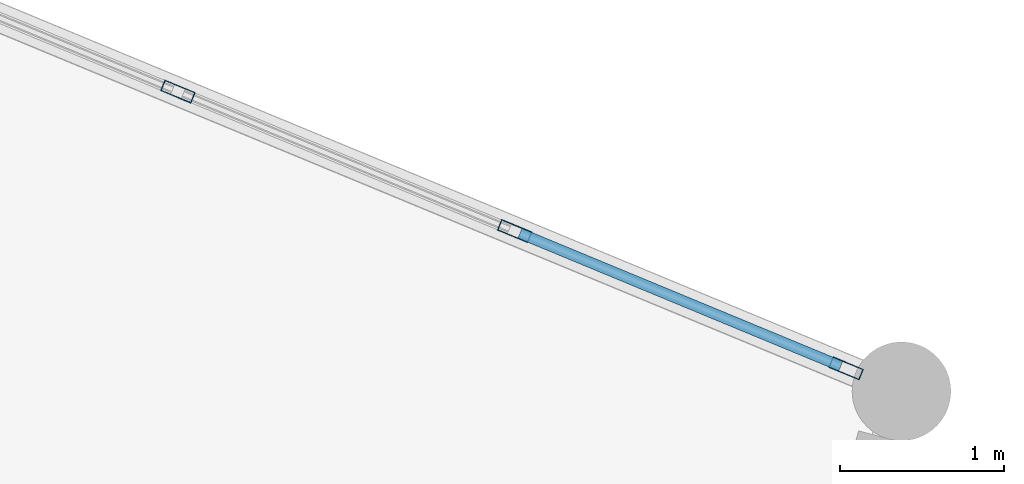
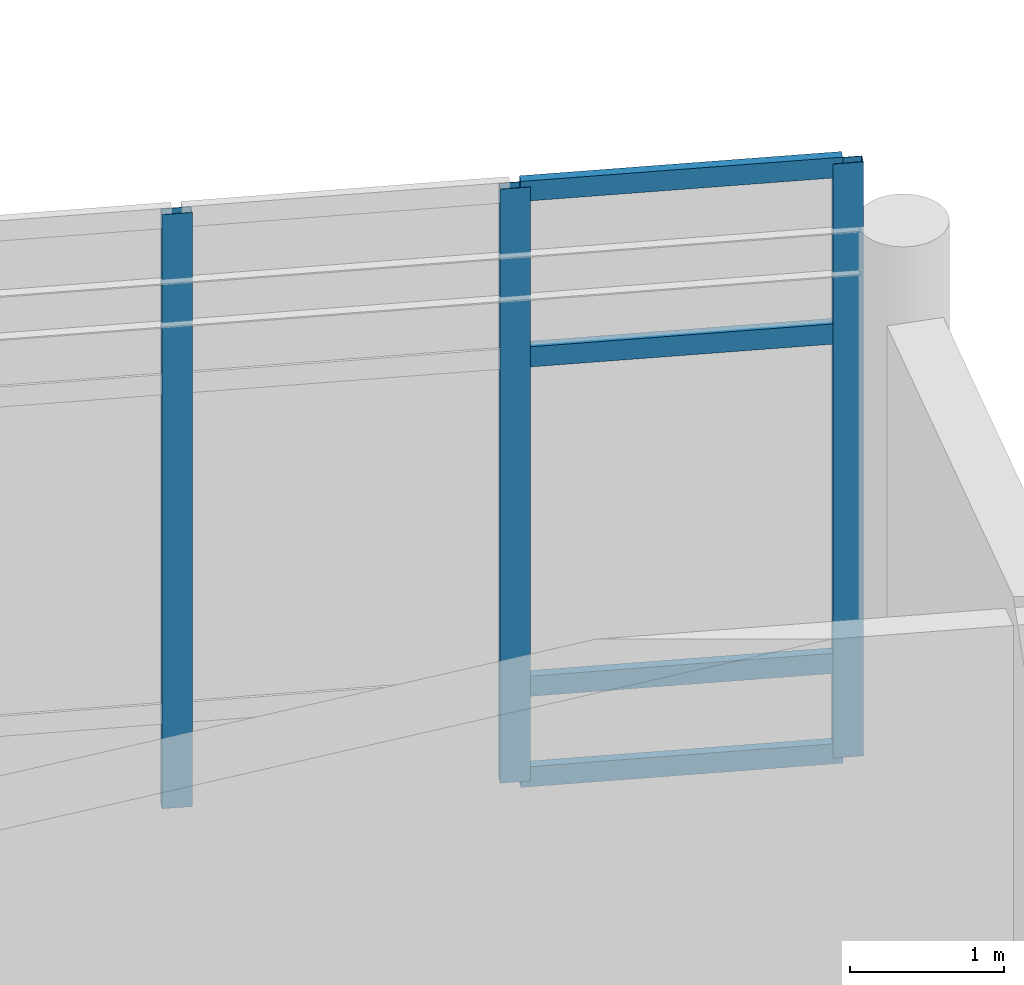
# One storey, part 37 of 170: 7 members, 1 element without a shape of its own.
"""IFC4 building model written with IfcOpenShell, lengths in metres."""

from ifc_helpers import new_model, si_unit, direction, frame, origin, origin_2d, place, context, subcontext, project, spatial, hollow_rectangle, extrude, material, material_profile, profile_set, type_object, element, aggregate, save


model = new_model("IFC4")

# Units and contexts
model_context = context("Model", 3, precision=1e-05, world=origin(), true_north=direction((0.0, 1.0)))
body_context = subcontext(model_context, "Body", "Model", "MODEL_VIEW")
ifc_project = project(units=[si_unit("LENGTHUNIT", "METRE"), si_unit("AREAUNIT", "SQUARE_METRE"), si_unit("VOLUMEUNIT", "CUBIC_METRE"), si_unit("PLANEANGLEUNIT", "RADIAN"), si_unit("MASSUNIT", "GRAM", prefix="KILO")], contexts=[model_context])

# Site, building, storey
site_placement = place(None, origin())
site = spatial("IfcSite", under=ifc_project, at=site_placement, CompositionType="ELEMENT")
building_placement = place(site_placement, origin())
building = spatial("IfcBuilding", under=site, at=building_placement, Name="Vondelvale Polytechnic", CompositionType="ELEMENT")
storey_placement = place(building_placement, frame((0.0, 0.0, 5.39990234375)))
storey = spatial("IfcBuildingStorey", under=building, at=storey_placement, Name="L01", CompositionType="ELEMENT", Elevation=5.39990234375)

# Curtain wall, members
ifc_material = material(Name="Anodised extruded aluminium 6063-T6", Category="aluminium")
curtain_wall_type = type_object("IfcCurtainWallType", Name="CW-RING-CLOISTER", PredefinedType="NOTDEFINED", material=ifc_material)
curtain_wall_placement = place(storey_placement, origin())
curtain_wall = element("IfcCurtainWall", 1, at=curtain_wall_placement, inside=storey, type_object=curtain_wall_type, Name="L01 architectural curtain wall CW-03-329", PredefinedType="NOTDEFINED")
ifc_material_profile_1 = material_profile(ifc_material, hollow_rectangle(XDim=0.070068359375, YDim=0.199951171875, WallThickness=0.00390625, at=origin_2d()), Name="CW-MUL-200x70")
ifc_profile_set_1 = profile_set([ifc_material_profile_1], Name="Anodised extruded aluminium 6063-T6")
member_type_1 = type_object("IfcMemberType", Name="CW-MUL-70x200", PredefinedType="MULLION", material=ifc_profile_set_1)
member_1_placement = place(storey_placement, frame((90.352783203125, 46.77685546875, 0.0), z_axis=(0.0, 0.0, 1.0), x_axis=(0.382678531697, 0.923881562419, 0.0)))
member_1 = element("IfcMember", 2, at=member_1_placement, type_object=member_type_1, Name="CW-03-329 mullion 2", PredefinedType="MULLION", context=body_context, shape_type="SweptSolid", body=[
    extrude(hollow_rectangle(XDim=0.070068359375, YDim=0.199951171875, WallThickness=0.00390625, at=origin_2d()), origin(), (0.0, 0.0, 1.0), 4.71337890625),
])
member_2_placement = place(storey_placement, frame((92.400390625, 45.9287109375, 0.0), z_axis=(0.0, 0.0, 1.0), x_axis=(0.382678531697, 0.923881562419, 0.0)))
member_2 = element("IfcMember", 3, at=member_2_placement, type_object=member_type_1, Name="CW-03-329 mullion 3", PredefinedType="MULLION", context=body_context, shape_type="SweptSolid", body=[
    extrude(hollow_rectangle(XDim=0.070068359375, YDim=0.199951171875, WallThickness=0.00390625, at=origin_2d()), origin(), (0.0, 0.0, 1.0), 4.71337890625),
])
member_3_placement = place(storey_placement, frame((94.415771484375, 45.09375, 0.0), z_axis=(0.0, 0.0, 1.0), x_axis=(0.382678531697, 0.923881562419, 0.0)))
member_3 = element("IfcMember", 4, at=member_3_placement, type_object=member_type_1, Name="CW-03-329 mullion 4", PredefinedType="MULLION", context=body_context, shape_type="SweptSolid", body=[
    extrude(hollow_rectangle(XDim=0.070068359375, YDim=0.199951171875, WallThickness=0.00390625, at=origin_2d()), origin(), (0.0, 0.0, 1.0), 4.71337890625),
])
ifc_material_profile_2 = material_profile(ifc_material, hollow_rectangle(XDim=0.06494140625, YDim=0.159912109375, WallThickness=0.00341796875, at=origin_2d()), Name="CW-TRN-160x65")
ifc_profile_set_2 = profile_set([ifc_material_profile_2], Name="Anodised extruded aluminium 6063-T6")
member_type_2 = type_object("IfcMemberType", Name="CW-TRN-70x160", PredefinedType="USERDEFINED", material=ifc_profile_set_2)
member_4_placement = place(storey_placement, frame((92.432861328125, 45.915283203125, 0.03271484375), z_axis=(0.923861804277, -0.382726229306, 0.0), x_axis=(0.382726229306, 0.923861804277, 0.0)))
member_4 = element("IfcMember", 5, at=member_4_placement, type_object=member_type_2, Name="CW-03-329 transom 3.1", ObjectType="TRANSOM", PredefinedType="USERDEFINED", context=body_context, shape_type="SweptSolid", body=[
    extrude(hollow_rectangle(XDim=0.06494140625, YDim=0.159912109375, WallThickness=0.00341796875, at=origin_2d()), origin(), (0.0, 0.0, 1.0), 2.111328125),
])
member_5_placement = place(storey_placement, frame((92.432861328125, 45.915283203125, 0.75), z_axis=(0.923861804277, -0.382726229306, 0.0), x_axis=(0.382726229306, 0.923861804277, 0.0)))
member_5 = element("IfcMember", 6, at=member_5_placement, type_object=member_type_2, Name="CW-03-329 transom 3.2", ObjectType="TRANSOM", PredefinedType="USERDEFINED", context=body_context, shape_type="SweptSolid", body=[
    extrude(hollow_rectangle(XDim=0.06494140625, YDim=0.159912109375, WallThickness=0.00341796875, at=origin_2d()), origin(), (0.0, 0.0, 1.0), 2.111328125),
])
member_6_placement = place(storey_placement, frame((92.432861328125, 45.915283203125, 3.36328125), z_axis=(0.923861804277, -0.382726229306, 0.0), x_axis=(0.382726229306, 0.923861804277, 0.0)))
member_6 = element("IfcMember", 7, at=member_6_placement, type_object=member_type_2, Name="CW-03-329 transom 3.3", ObjectType="TRANSOM", PredefinedType="USERDEFINED", context=body_context, shape_type="SweptSolid", body=[
    extrude(hollow_rectangle(XDim=0.06494140625, YDim=0.159912109375, WallThickness=0.00341796875, at=origin_2d()), origin(), (0.0, 0.0, 1.0), 2.111328125),
])
member_7_placement = place(storey_placement, frame((92.432861328125, 45.915283203125, 4.680908203125), z_axis=(0.923861804277, -0.382726229306, 0.0), x_axis=(0.382726229306, 0.923861804277, 0.0)))
member_7 = element("IfcMember", 8, at=member_7_placement, type_object=member_type_2, Name="CW-03-329 transom 3.4", ObjectType="TRANSOM", PredefinedType="USERDEFINED", context=body_context, shape_type="SweptSolid", body=[
    extrude(hollow_rectangle(XDim=0.06494140625, YDim=0.159912109375, WallThickness=0.00341796875, at=origin_2d()), origin(), (0.0, 0.0, 1.0), 2.111328125),
])
aggregate(curtain_wall, [member_1, member_2, member_3, member_4, member_5, member_6, member_7])

save(model, "model.ifc")
